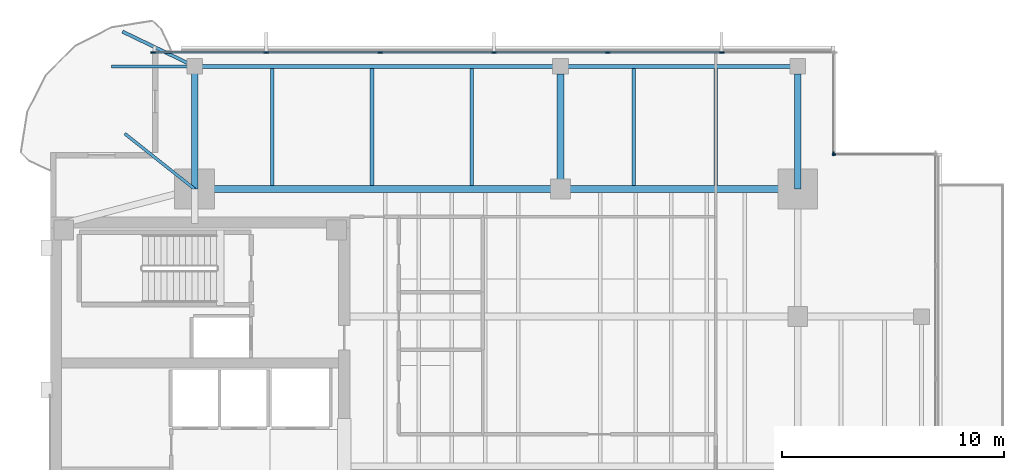
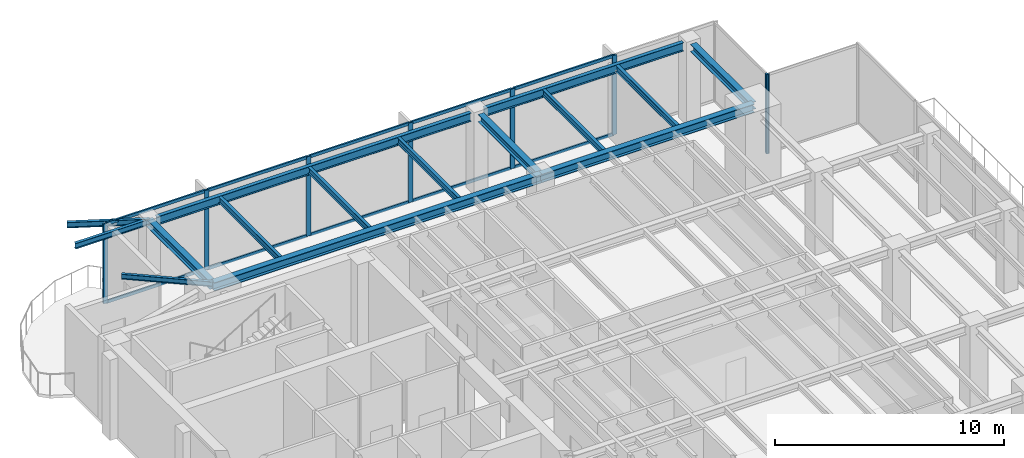
# One storey, part 5 of 14: 18 members, 15 beams, 3 elements without a shape of their own.
"""IFC4 building model written with IfcOpenShell, lengths in metres."""

from ifc_helpers import new_model, si_unit, direction, frame, origin, origin_2d, place, context, subcontext, project, spatial, rectangle, i_section, extrude, material, layer, layer_set, material_profile, profile_set, type_object, element, aggregate, save


model = new_model("IFC4")

# Units and contexts
model_context = context("Model", 3, precision=1e-05, world=origin(), true_north=direction((0.0, 1.0)))
body_context = subcontext(model_context, "Body", "Model", "MODEL_VIEW")
ifc_project = project(units=[si_unit("LENGTHUNIT", "METRE"), si_unit("AREAUNIT", "SQUARE_METRE"), si_unit("VOLUMEUNIT", "CUBIC_METRE"), si_unit("PLANEANGLEUNIT", "RADIAN"), si_unit("MASSUNIT", "GRAM", prefix="KILO")], contexts=[model_context])

# Site, building, storey
site_placement = place(None, origin())
site = spatial("IfcSite", under=ifc_project, at=site_placement, CompositionType="ELEMENT")
building_placement = place(site_placement, origin())
building = spatial("IfcBuilding", under=site, at=building_placement, Name="Kinhvarn Gate Tower", CompositionType="ELEMENT")
storey_placement = place(building_placement, frame((0.0, 0.0, 244.85009765625)))
storey = spatial("IfcBuildingStorey", under=building, at=storey_placement, Name="L65", CompositionType="ELEMENT", Elevation=244.85009765625)

# Curtain wall, member
ifc_material_1 = material(Name="Anodised aluminium AW-6063", Category="aluminium")
ifc_layer_1 = layer(ifc_material_1, 0.179931640625)
ifc_layer_set_1 = layer_set([ifc_layer_1], Name="Anodised aluminium AW-6063")
curtain_wall_type_1 = type_object("IfcCurtainWallType", Name="CW-SYS-4", PredefinedType="NOTDEFINED", material=ifc_layer_set_1)
curtain_wall_1_placement = place(storey_placement, origin())
curtain_wall_1 = element("IfcCurtainWall", 1, at=curtain_wall_1_placement, inside=storey, type_object=curtain_wall_type_1, Name="Curtain Wall CW4 (L65)", PredefinedType="NOTDEFINED")
ifc_material_profile_1 = material_profile(ifc_material_1, rectangle(XDim=0.06494140625, YDim=0.159912109375, at=origin_2d()), Name="ALU 65x160")
ifc_profile_set_1 = profile_set([ifc_material_profile_1], Name="Anodised aluminium AW-6063")
member_type_1 = type_object("IfcMemberType", Name="CW-MUL-160", PredefinedType="MULLION", material=ifc_profile_set_1)
member_1_placement = place(storey_placement, frame((39.842529296875, 39.31005859375, 0.0), z_axis=(0.0, 0.0, 1.0), x_axis=(0.0, -1.0, 0.0)))
member_1 = element("IfcMember", 2, at=member_1_placement, type_object=member_type_1, Name="CW4 mullion 2", PredefinedType="MULLION", context=body_context, shape_type="SweptSolid", body=[
    extrude(rectangle(XDim=0.06494140625, YDim=0.159912109375, at=origin_2d()), origin(), (0.0, 0.0, 1.0), 4.239990234375),
])
aggregate(curtain_wall_1, [member_1])

curtain_wall_2_placement = place(storey_placement, origin())
curtain_wall_2 = element("IfcCurtainWall", 3, at=curtain_wall_2_placement, inside=storey, type_object=curtain_wall_type_1, Name="Curtain Wall CW4 (L65)", PredefinedType="NOTDEFINED")
member_2_placement = place(storey_placement, frame((39.81005859375, 39.342529296875, 0.0), z_axis=(0.0, 0.0, 1.0), x_axis=(-1.0, 0.0, 0.0)))
member_2 = element("IfcMember", 4, at=member_2_placement, type_object=member_type_1, Name="CW4 mullion 1", PredefinedType="MULLION", context=body_context, shape_type="SweptSolid", body=[
    extrude(rectangle(XDim=0.06494140625, YDim=0.159912109375, at=origin_2d()), origin(), (0.0, 0.0, 1.0), 4.239990234375),
])
aggregate(curtain_wall_2, [member_2])

# Curtain wall, members
ifc_layer_2 = layer(ifc_material_1, 0.219970703125)
ifc_layer_set_2 = layer_set([ifc_layer_2], Name="Anodised aluminium AW-6063")
curtain_wall_type_2 = type_object("IfcCurtainWallType", Name="CW-SYS-5", PredefinedType="NOTDEFINED", material=ifc_layer_set_2)
curtain_wall_3_placement = place(storey_placement, origin())
curtain_wall_3 = element("IfcCurtainWall", 5, at=curtain_wall_3_placement, inside=storey, type_object=curtain_wall_type_2, Name="Curtain Wall CW5 (L65)", PredefinedType="NOTDEFINED")
ifc_material_profile_2 = material_profile(ifc_material_1, rectangle(XDim=0.080078125, YDim=0.219970703125, at=origin_2d()), Name="ALU 80x220")
ifc_profile_set_2 = profile_set([ifc_material_profile_2], Name="Anodised aluminium AW-6063")
member_type_2 = type_object("IfcMemberType", Name="CW-MUL-220", PredefinedType="MULLION", material=ifc_profile_set_2)
member_3_placement = place(storey_placement, frame((34.7666015625, 43.909912109375, 0.0), z_axis=(0.0, 0.0, 1.0), x_axis=(0.0, -1.0, 0.0)))
member_3 = element("IfcMember", 6, at=member_3_placement, type_object=member_type_2, Name="CW5 mullion 2", PredefinedType="MULLION", context=body_context, shape_type="SweptSolid", body=[
    extrude(rectangle(XDim=0.080078125, YDim=0.219970703125, at=origin_2d()), origin(), (0.0, 0.0, 1.0), 4.239990234375),
])
member_4_placement = place(storey_placement, frame((29.63330078125, 43.909912109375, 0.0), z_axis=(0.0, 0.0, 1.0), x_axis=(0.0, -1.0, 0.0)))
member_4 = element("IfcMember", 7, at=member_4_placement, type_object=member_type_2, Name="CW5 mullion 3", PredefinedType="MULLION", context=body_context, shape_type="SweptSolid", body=[
    extrude(rectangle(XDim=0.080078125, YDim=0.219970703125, at=origin_2d()), origin(), (0.0, 0.0, 1.0), 4.239990234375),
])
member_5_placement = place(storey_placement, frame((24.5, 43.909912109375, 0.0), z_axis=(0.0, 0.0, 1.0), x_axis=(0.0, -1.0, 0.0)))
member_5 = element("IfcMember", 8, at=member_5_placement, type_object=member_type_2, Name="CW5 mullion 4", PredefinedType="MULLION", context=body_context, shape_type="SweptSolid", body=[
    extrude(rectangle(XDim=0.080078125, YDim=0.219970703125, at=origin_2d()), origin(), (0.0, 0.0, 1.0), 4.239990234375),
])
member_6_placement = place(storey_placement, frame((19.36669921875, 43.909912109375, 0.0), z_axis=(0.0, 0.0, 1.0), x_axis=(0.0, -1.0, 0.0)))
member_6 = element("IfcMember", 9, at=member_6_placement, type_object=member_type_2, Name="CW5 mullion 5", PredefinedType="MULLION", context=body_context, shape_type="SweptSolid", body=[
    extrude(rectangle(XDim=0.080078125, YDim=0.219970703125, at=origin_2d()), origin(), (0.0, 0.0, 1.0), 4.239990234375),
])
member_7_placement = place(storey_placement, frame((14.2333984375, 43.909912109375, 0.0), z_axis=(0.0, 0.0, 1.0), x_axis=(0.0, -1.0, 0.0)))
member_7 = element("IfcMember", 10, at=member_7_placement, type_object=member_type_2, Name="CW5 mullion 6", PredefinedType="MULLION", context=body_context, shape_type="SweptSolid", body=[
    extrude(rectangle(XDim=0.080078125, YDim=0.219970703125, at=origin_2d()), origin(), (0.0, 0.0, 1.0), 4.239990234375),
])
member_8_placement = place(storey_placement, frame((9.139892578125, 43.909912109375, 0.0), z_axis=(0.0, 0.0, 1.0), x_axis=(0.0, -1.0, 0.0)))
member_8 = element("IfcMember", 11, at=member_8_placement, type_object=member_type_2, Name="CW5 mullion 7", PredefinedType="MULLION", context=body_context, shape_type="SweptSolid", body=[
    extrude(rectangle(XDim=0.080078125, YDim=0.219970703125, at=origin_2d()), origin(), (0.0, 0.0, 1.0), 4.239990234375),
])
ifc_material_profile_3 = material_profile(ifc_material_1, rectangle(XDim=0.080078125, YDim=0.159912109375, at=origin_2d()), Name="ALU 80x160")
ifc_profile_set_3 = profile_set([ifc_material_profile_3], Name="Anodised aluminium AW-6063")
member_type_3 = type_object("IfcMemberType", Name="CW-TRN-160", PredefinedType="USERDEFINED", material=ifc_profile_set_3)
member_9_placement = place(storey_placement, frame((34.7265625, 43.909912109375, 0.039794921875), z_axis=(-1.0, 0.0, 0.0), x_axis=(0.0, -1.0, 0.0)))
member_9 = element("IfcMember", 12, at=member_9_placement, type_object=member_type_3, Name="CW5 transom 2.1", ObjectType="TRANSOM", PredefinedType="USERDEFINED", context=body_context, shape_type="SweptSolid", body=[
    extrude(rectangle(XDim=0.080078125, YDim=0.159912109375, at=origin_2d()), origin(), (0.0, 0.0, 1.0), 5.05322265625),
])
member_10_placement = place(storey_placement, frame((34.7265625, 43.909912109375, 4.199951171875), z_axis=(-1.0, 0.0, 0.0), x_axis=(0.0, -1.0, 0.0)))
member_10 = element("IfcMember", 13, at=member_10_placement, type_object=member_type_3, Name="CW5 transom 2.2", ObjectType="TRANSOM", PredefinedType="USERDEFINED", context=body_context, shape_type="SweptSolid", body=[
    extrude(rectangle(XDim=0.080078125, YDim=0.159912109375, at=origin_2d()), origin(), (0.0, 0.0, 1.0), 5.05322265625),
])
member_11_placement = place(storey_placement, frame((29.59326171875, 43.909912109375, 0.039794921875), z_axis=(-1.0, 0.0, 0.0), x_axis=(0.0, -1.0, 0.0)))
member_11 = element("IfcMember", 14, at=member_11_placement, type_object=member_type_3, Name="CW5 transom 3.1", ObjectType="TRANSOM", PredefinedType="USERDEFINED", context=body_context, shape_type="SweptSolid", body=[
    extrude(rectangle(XDim=0.080078125, YDim=0.159912109375, at=origin_2d()), origin(), (0.0, 0.0, 1.0), 5.05322265625),
])
member_12_placement = place(storey_placement, frame((29.59326171875, 43.909912109375, 4.199951171875), z_axis=(-1.0, 0.0, 0.0), x_axis=(0.0, -1.0, 0.0)))
member_12 = element("IfcMember", 15, at=member_12_placement, type_object=member_type_3, Name="CW5 transom 3.2", ObjectType="TRANSOM", PredefinedType="USERDEFINED", context=body_context, shape_type="SweptSolid", body=[
    extrude(rectangle(XDim=0.080078125, YDim=0.159912109375, at=origin_2d()), origin(), (0.0, 0.0, 1.0), 5.05322265625),
])
member_13_placement = place(storey_placement, frame((24.4599609375, 43.909912109375, 0.039794921875), z_axis=(-1.0, 0.0, 0.0), x_axis=(0.0, -1.0, 0.0)))
member_13 = element("IfcMember", 16, at=member_13_placement, type_object=member_type_3, Name="CW5 transom 4.1", ObjectType="TRANSOM", PredefinedType="USERDEFINED", context=body_context, shape_type="SweptSolid", body=[
    extrude(rectangle(XDim=0.080078125, YDim=0.159912109375, at=origin_2d()), origin(), (0.0, 0.0, 1.0), 5.05322265625),
])
member_14_placement = place(storey_placement, frame((24.4599609375, 43.909912109375, 4.199951171875), z_axis=(-1.0, 0.0, 0.0), x_axis=(0.0, -1.0, 0.0)))
member_14 = element("IfcMember", 17, at=member_14_placement, type_object=member_type_3, Name="CW5 transom 4.2", ObjectType="TRANSOM", PredefinedType="USERDEFINED", context=body_context, shape_type="SweptSolid", body=[
    extrude(rectangle(XDim=0.080078125, YDim=0.159912109375, at=origin_2d()), origin(), (0.0, 0.0, 1.0), 5.05322265625),
])
member_15_placement = place(storey_placement, frame((19.32666015625, 43.909912109375, 0.039794921875), z_axis=(-1.0, 0.0, 0.0), x_axis=(0.0, -1.0, 0.0)))
member_15 = element("IfcMember", 18, at=member_15_placement, type_object=member_type_3, Name="CW5 transom 5.1", ObjectType="TRANSOM", PredefinedType="USERDEFINED", context=body_context, shape_type="SweptSolid", body=[
    extrude(rectangle(XDim=0.080078125, YDim=0.159912109375, at=origin_2d()), origin(), (0.0, 0.0, 1.0), 5.05322265625),
])
member_16_placement = place(storey_placement, frame((19.32666015625, 43.909912109375, 4.199951171875), z_axis=(-1.0, 0.0, 0.0), x_axis=(0.0, -1.0, 0.0)))
member_16 = element("IfcMember", 19, at=member_16_placement, type_object=member_type_3, Name="CW5 transom 5.2", ObjectType="TRANSOM", PredefinedType="USERDEFINED", context=body_context, shape_type="SweptSolid", body=[
    extrude(rectangle(XDim=0.080078125, YDim=0.159912109375, at=origin_2d()), origin(), (0.0, 0.0, 1.0), 5.05322265625),
])
member_17_placement = place(storey_placement, frame((14.193359375, 43.909912109375, 0.039794921875), z_axis=(-1.0, 0.0, 0.0), x_axis=(0.0, -1.0, 0.0)))
member_17 = element("IfcMember", 20, at=member_17_placement, type_object=member_type_3, Name="CW5 transom 6.1", ObjectType="TRANSOM", PredefinedType="USERDEFINED", context=body_context, shape_type="SweptSolid", body=[
    extrude(rectangle(XDim=0.080078125, YDim=0.159912109375, at=origin_2d()), origin(), (0.0, 0.0, 1.0), 5.013427734375),
])
member_18_placement = place(storey_placement, frame((14.193359375, 43.909912109375, 4.199951171875), z_axis=(-1.0, 0.0, 0.0), x_axis=(0.0, -1.0, 0.0)))
member_18 = element("IfcMember", 21, at=member_18_placement, type_object=member_type_3, Name="CW5 transom 6.2", ObjectType="TRANSOM", PredefinedType="USERDEFINED", context=body_context, shape_type="SweptSolid", body=[
    extrude(rectangle(XDim=0.080078125, YDim=0.159912109375, at=origin_2d()), origin(), (0.0, 0.0, 1.0), 5.013427734375),
])
aggregate(curtain_wall_3, [member_3, member_4, member_5, member_6, member_7, member_8, member_9, member_10, member_11, member_12, member_13, member_14, member_15, member_16, member_17, member_18])

# Beams
ifc_material_2 = material(Name="Steel S355", Category="steel")
ifc_material_profile_4 = material_profile(ifc_material_2, i_section(OverallWidth=0.300048828125, OverallDepth=0.39990234375, WebThickness=0.013427734375, FlangeThickness=0.02392578125, at=origin_2d()), Name="HEB 400")
ifc_profile_set_4 = profile_set([ifc_material_profile_4], Name="Steel S355")
beam_type_1 = type_object("IfcBeamType", Name="STL-HEB400", PredefinedType="BEAM", material=ifc_profile_set_4)
beam_1_placement = place(storey_placement, frame((11.0, 37.75, 4.039794921875), z_axis=(0.0, 1.0, 0.0), x_axis=(-1.0, 0.0, 0.0)))
element("IfcBeam", 22, at=beam_1_placement, inside=storey, type_object=beam_type_1, Name="Floor Beam PG-12 (L65 MCW-N)", PredefinedType="BEAM", context=body_context, shape_type="SweptSolid", body=[
    extrude(i_section(OverallWidth=0.300048828125, OverallDepth=0.39990234375, WebThickness=0.013427734375, FlangeThickness=0.02392578125, at=origin_2d()), origin(), (0.0, 0.0, 1.0), 5.530029296875),
])
for number, where, z_axis, x_axis, name in (
    (23, (27.5, 37.75, 4.039794921875), (0.0, 1.0, 0.0), (-1.0, 0.0, 0.0), "Floor Beam PG-12 (L65 SP27-N-TIE)"),
    (24, (38.199951171875, 37.75, 4.039794921875), (0.0, 1.0, 0.0), (-1.0, 0.0, 0.0), "Floor Beam PG-12 (L65 MCE-N)"),
):
    element("IfcBeam", number, at=place(storey_placement, frame(where, z_axis=z_axis, x_axis=x_axis)), inside=storey, type_object=beam_type_1, Name=name, PredefinedType="BEAM", context=body_context, shape_type="SweptSolid", body=[
        extrude(i_section(OverallWidth=0.300048828125, OverallDepth=0.39990234375, WebThickness=0.013427734375, FlangeThickness=0.02392578125, at=origin_2d()), origin(), (0.0, 0.0, 1.0), 5.195068359375),
    ])
ifc_material_profile_5 = material_profile(ifc_material_2, i_section(OverallWidth=0.300048828125, OverallDepth=0.449951171875, WebThickness=0.013916015625, FlangeThickness=0.02587890625, at=origin_2d()), Name="HEB 450")
ifc_profile_set_5 = profile_set([ifc_material_profile_5], Name="Steel S355")
beam_type_2 = type_object("IfcBeamType", Name="STL-HEB450", PredefinedType="BEAM", material=ifc_profile_set_5)
beam_2_placement = place(storey_placement, frame((11.0, 37.75, 4.014892578125), z_axis=(1.0, 0.0, 0.0), x_axis=(0.0, 1.0, 0.0)))
element("IfcBeam", 25, at=beam_2_placement, inside=storey, type_object=beam_type_2, Name="Floor Beam PG-13 (L65 MG-N1)", PredefinedType="BEAM", context=body_context, shape_type="SweptSolid", body=[
    extrude(i_section(OverallWidth=0.300048828125, OverallDepth=0.449951171875, WebThickness=0.013916015625, FlangeThickness=0.02587890625, at=origin_2d()), origin(), (0.0, 0.0, 1.0), 16.5),
])
beam_3_placement = place(storey_placement, frame((27.5, 37.75, 4.014892578125), z_axis=(1.0, 0.0, 0.0), x_axis=(0.0, 1.0, 0.0)))
element("IfcBeam", 26, at=beam_3_placement, inside=storey, type_object=beam_type_2, Name="Floor Beam PG-13 (L65 MG-N2)", PredefinedType="BEAM", context=body_context, shape_type="SweptSolid", body=[
    extrude(i_section(OverallWidth=0.300048828125, OverallDepth=0.449951171875, WebThickness=0.013916015625, FlangeThickness=0.02587890625, at=origin_2d()), origin(), (0.0, 0.0, 1.0), 10.699951171875),
])
ifc_material_profile_6 = material_profile(ifc_material_2, i_section(OverallWidth=0.135009765625, OverallDepth=0.27001953125, WebThickness=0.006591796875, FlangeThickness=0.01025390625, at=origin_2d()), Name="IPE 270")
ifc_profile_set_6 = profile_set([ifc_material_profile_6], Name="Steel S355")
beam_type_3 = type_object("IfcBeamType", Name="STL-IPE270", PredefinedType="JOIST", material=ifc_profile_set_6)
beam_4_placement = place(storey_placement, frame((11.0, 37.75, 4.10498046875), z_axis=(-0.783279518214, 0.621669684275, 0.0), x_axis=(-0.621669684275, -0.783279518214, 0.0)))
element("IfcBeam", 27, at=beam_4_placement, inside=storey, type_object=beam_type_3, Name="Floor Joist SB-01 (L65 BAL-B3-L66)", PredefinedType="JOIST", context=body_context, shape_type="SweptSolid", body=[
    extrude(i_section(OverallWidth=0.135009765625, OverallDepth=0.27001953125, WebThickness=0.006591796875, FlangeThickness=0.01025390625, at=origin_2d()), origin(), (0.0, 0.0, 1.0), 4.021484375),
])
ifc_material_profile_7 = material_profile(ifc_material_2, i_section(OverallWidth=0.14990234375, OverallDepth=0.300048828125, WebThickness=0.007080078125, FlangeThickness=0.0107421875, at=origin_2d()), Name="IPE 300")
ifc_profile_set_7 = profile_set([ifc_material_profile_7], Name="Steel S355")
beam_type_4 = type_object("IfcBeamType", Name="STL-IPE300", PredefinedType="JOIST", material=ifc_profile_set_7)
beam_5_placement = place(storey_placement, frame((11.0, 43.280029296875, 4.08984375), z_axis=(-1.0, 0.0, 0.0), x_axis=(0.0, -1.0, 0.0)))
element("IfcBeam", 28, at=beam_5_placement, inside=storey, type_object=beam_type_4, Name="Floor Joist SB-02 (L65 BAL-B1-L66)", PredefinedType="JOIST", context=body_context, shape_type="SweptSolid", body=[
    extrude(i_section(OverallWidth=0.14990234375, OverallDepth=0.300048828125, WebThickness=0.007080078125, FlangeThickness=0.0107421875, at=origin_2d()), origin(), (0.0, 0.0, 1.0), 3.75),
])
beam_6_placement = place(storey_placement, frame((11.0, 43.280029296875, 4.08984375), z_axis=(-0.900431975558, 0.434996847567, 0.0), x_axis=(-0.434996847567, -0.900431975558, 0.0)))
element("IfcBeam", 29, at=beam_6_placement, inside=storey, type_object=beam_type_4, Name="Floor Joist SB-02 (L65 BAL-B2-L66)", PredefinedType="JOIST", context=body_context, shape_type="SweptSolid", body=[
    extrude(i_section(OverallWidth=0.14990234375, OverallDepth=0.300048828125, WebThickness=0.007080078125, FlangeThickness=0.0107421875, at=origin_2d()), origin(), (0.0, 0.0, 1.0), 3.609375),
])
ifc_material_profile_8 = material_profile(ifc_material_2, i_section(OverallWidth=0.159912109375, OverallDepth=0.330078125, WebThickness=0.007568359375, FlangeThickness=0.011474609375, at=origin_2d()), Name="IPE 330")
ifc_profile_set_8 = profile_set([ifc_material_profile_8], Name="Steel S355")
beam_type_5 = type_object("IfcBeamType", Name="STL-IPE330", PredefinedType="JOIST", material=ifc_profile_set_8)
for number, where, z_axis, x_axis, name in (
    (30, (14.5, 37.89990234375, 4.074951171875), (0.0, 1.0, 0.0), (-1.0, 0.0, 0.0), "Floor Joist SB-03 (L65 JN-X145)"),
    (31, (19.0, 37.89990234375, 4.074951171875), (0.0, 1.0, 0.0), (-1.0, 0.0, 0.0), "Floor Joist SB-03 (L65 JN-X190)"),
    (32, (23.5, 37.89990234375, 4.074951171875), (0.0, 1.0, 0.0), (-1.0, 0.0, 0.0), "Floor Joist SB-03 (L65 JN-X235)"),
    (33, (30.800048828125, 37.89990234375, 4.074951171875), (0.0, 1.0, 0.0), (-1.0, 0.0, 0.0), "Floor Joist SB-03 (L65 JN-X308)"),
    (34, (34.5, 37.89990234375, 4.074951171875), (0.0, 1.0, 0.0), (-1.0, 0.0, 0.0), "Floor Joist SB-03 (L65 JN-X345)"),
):
    element("IfcBeam", number, at=place(storey_placement, frame(where, z_axis=z_axis, x_axis=x_axis)), inside=storey, type_object=beam_type_5, Name=name, PredefinedType="JOIST", context=body_context, shape_type="SweptSolid", body=[
        extrude(i_section(OverallWidth=0.159912109375, OverallDepth=0.330078125, WebThickness=0.007568359375, FlangeThickness=0.011474609375, at=origin_2d()), origin(), (0.0, 0.0, 1.0), 5.28515625),
    ])
ifc_material_profile_9 = material_profile(ifc_material_2, i_section(OverallWidth=0.18994140625, OverallDepth=0.449951171875, WebThickness=0.009521484375, FlangeThickness=0.0146484375, at=origin_2d()), Name="IPE 450")
ifc_profile_set_9 = profile_set([ifc_material_profile_9], Name="Steel S355")
beam_type_6 = type_object("IfcBeamType", Name="STL-IPE450", PredefinedType="JOIST", material=ifc_profile_set_9)
beam_7_placement = place(storey_placement, frame((11.3349609375, 43.280029296875, 4.014892578125), z_axis=(1.0, 0.0, 0.0), x_axis=(0.0, 1.0, 0.0)))
element("IfcBeam", 35, at=beam_7_placement, inside=storey, type_object=beam_type_6, Name="Floor Joist SB-06 (L65 SP-N1)", PredefinedType="JOIST", context=body_context, shape_type="SweptSolid", body=[
    extrude(i_section(OverallWidth=0.18994140625, OverallDepth=0.449951171875, WebThickness=0.009521484375, FlangeThickness=0.0146484375, at=origin_2d()), origin(), (0.0, 0.0, 1.0), 15.830078125),
])
beam_8_placement = place(storey_placement, frame((27.8349609375, 43.280029296875, 4.014892578125), z_axis=(1.0, 0.0, 0.0), x_axis=(0.0, 1.0, 0.0)))
element("IfcBeam", 36, at=beam_8_placement, inside=storey, type_object=beam_type_6, Name="Floor Joist SB-06 (L65 SP-N2)", PredefinedType="JOIST", context=body_context, shape_type="SweptSolid", body=[
    extrude(i_section(OverallWidth=0.18994140625, OverallDepth=0.449951171875, WebThickness=0.009521484375, FlangeThickness=0.0146484375, at=origin_2d()), origin(), (0.0, 0.0, 1.0), 10.030029296875),
])

save(model, "model.ifc")
